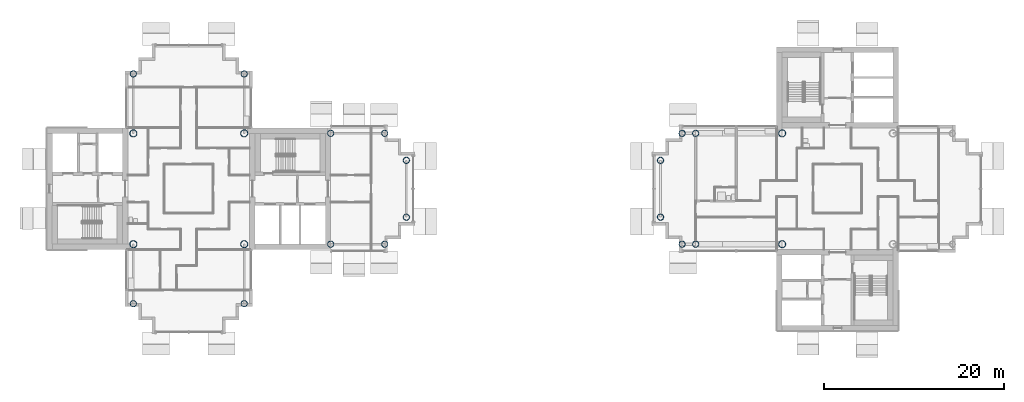
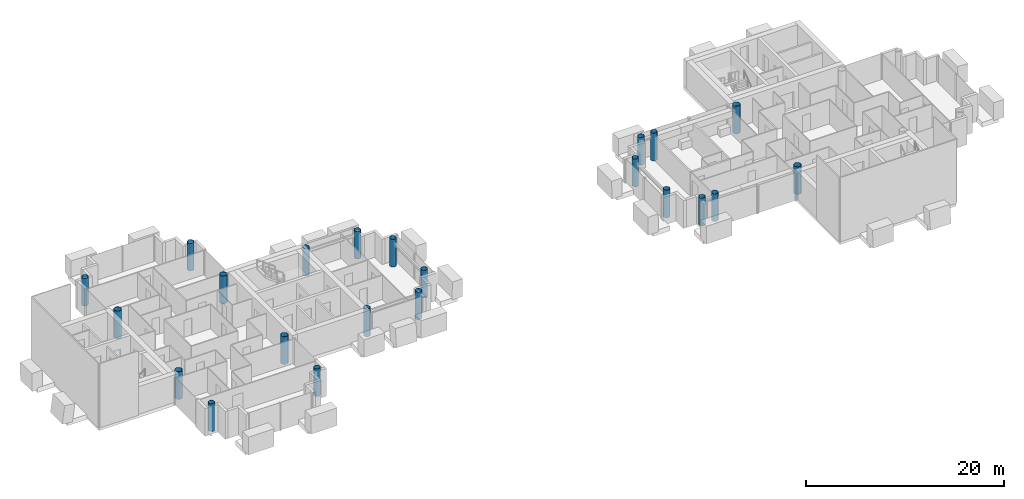
# One storey, part 1 of 18: 22 columns.
"""IFC4 building model written with IfcOpenShell, lengths in metres."""

from ifc_helpers import new_model, si_unit, direction, frame, origin, origin_2d, place, context, subcontext, project, spatial, hollow_circle, extrude, material, material_profile, profile_set, type_object, element, save


model = new_model("IFC4")

# Units and contexts
model_context = context("Model", 3, precision=1e-05, world=origin(), true_north=direction((0.0, 1.0)))
body_context = subcontext(model_context, "Body", "Model", "MODEL_VIEW")
ifc_project = project(units=[si_unit("LENGTHUNIT", "METRE"), si_unit("AREAUNIT", "SQUARE_METRE"), si_unit("VOLUMEUNIT", "CUBIC_METRE"), si_unit("PLANEANGLEUNIT", "RADIAN"), si_unit("MASSUNIT", "GRAM", prefix="KILO")], contexts=[model_context])

# Site, building, storey
site_placement = place(None, origin())
site = spatial("IfcSite", under=ifc_project, at=site_placement, CompositionType="ELEMENT")
building_placement = place(site_placement, origin())
building = spatial("IfcBuilding", under=site, at=building_placement, Name="Ipe Terrace Towers", CompositionType="ELEMENT")
storey_placement = place(building_placement, frame((0.0, 0.0, 230.0)))
storey = spatial("IfcBuildingStorey", under=building, at=storey_placement, Name="L64", CompositionType="ELEMENT", Elevation=230.0)

# Columns
ifc_material_1 = material(Name="Steel S355 tube with Concrete C60/75 fill", Category="concrete")
ifc_material_profile_1 = material_profile(ifc_material_1, hollow_circle(Radius=0.35009765625, WallThickness=0.02490234375, at=origin_2d()), Name="CHS-700x25")
ifc_profile_set_1 = profile_set([ifc_material_profile_1], Name="Steel S355 tube with Concrete C60/75 fill")
column_type_1 = type_object("IfcColumnType", Name="CH08 COLUMN CHS-700x25", PredefinedType="COLUMN", material=ifc_profile_set_1)
for number, where, z_axis, x_axis, name in (
    (1, (-20.25, -6.14990234375, 0.0), (0.0, 0.0, 1.0), (1.0, 0.0, 0.0), "Column T1-C-A01"),
    (2, (-20.25, 6.14990234375, 0.0), (0.0, 0.0, 1.0), (1.0, 0.0, 0.0), "Column T1-C-A02"),
    (3, (-14.25, -6.14990234375, 0.0), (0.0, 0.0, 1.0), (1.0, 0.0, 0.0), "Column T1-C-A03"),
    (4, (-14.25, 6.14990234375, 0.0), (0.0, 0.0, 1.0), (1.0, 0.0, 0.0), "Column T1-C-A04"),
    (5, (-11.85009765625, -3.14990234375, 0.0), (0.0, 0.0, 1.0), (1.0, 0.0, 0.0), "Column T1-C-A05"),
    (6, (-11.85009765625, 3.14990234375, 0.0), (0.0, 0.0, 1.0), (1.0, 0.0, 0.0), "Column T1-C-A06"),
    (7, (-29.85009765625, 12.75, 0.0), (0.0, 0.0, 1.0), (1.0, 0.0, 0.0), "Column T1-C-B01"),
    (8, (-42.14990234375, 12.75, 0.0), (0.0, 0.0, 1.0), (1.0, 0.0, 0.0), "Column T1-C-B02"),
    (9, (-42.14990234375, -12.75, 0.0), (0.0, 0.0, 1.0), (1.0, 0.0, 0.0), "Column T1-C-D01"),
    (10, (-29.85009765625, -12.75, 0.0), (0.0, 0.0, 1.0), (1.0, 0.0, 0.0), "Column T1-C-D02"),
    (11, (20.25, 6.14990234375, 0.0), (0.0, 0.0, 1.0), (1.0, 0.0, 0.0), "Column T2-C-B03"),
    (12, (20.25, -6.14990234375, 0.0), (0.0, 0.0, 1.0), (1.0, 0.0, 0.0), "Column T2-C-B04"),
    (13, (18.75, 6.14990234375, 0.0), (0.0, 0.0, 1.0), (1.0, 0.0, 0.0), "Column T2-C-B05"),
    (14, (18.75, -6.14990234375, 0.0), (0.0, 0.0, 1.0), (1.0, 0.0, 0.0), "Column T2-C-B06"),
    (15, (16.35009765625, 3.14990234375, 0.0), (0.0, 0.0, 1.0), (1.0, 0.0, 0.0), "Column T2-C-B07"),
    (16, (16.35009765625, -3.14990234375, 0.0), (0.0, 0.0, 1.0), (1.0, 0.0, 0.0), "Column T2-C-B08"),
):
    element("IfcColumn", number, at=place(storey_placement, frame(where, z_axis=z_axis, x_axis=x_axis)), inside=storey, type_object=column_type_1, Name=name, PredefinedType="COLUMN", context=body_context, shape_type="SweptSolid", body=[
        extrude(hollow_circle(Radius=0.35009765625, WallThickness=0.02490234375, at=origin_2d()), origin(), (0.0, 0.0, 1.0), 3.39990234375),
    ])
ifc_material_2 = material(Name="Steel S355 tube with Concrete C60/75 fill", Category="concrete")
ifc_material_profile_2 = material_profile(ifc_material_2, hollow_circle(Radius=0.39990234375, WallThickness=0.028076171875, at=origin_2d()), Name="CHS-800x28")
ifc_profile_set_2 = profile_set([ifc_material_profile_2], Name="Steel S355 tube with Concrete C60/75 fill")
column_type_2 = type_object("IfcColumnType", Name="CH09 COLUMN CHS-800x28", PredefinedType="COLUMN", material=ifc_profile_set_2)
for number, where, z_axis, x_axis, name in (
    (17, (-42.14990234375, -6.14990234375, 0.0), (0.0, 0.0, 1.0), (1.0, 0.0, 0.0), "Column T1-C-E01"),
    (18, (-29.85009765625, -6.14990234375, 0.0), (0.0, 0.0, 1.0), (1.0, 0.0, 0.0), "Column T1-C-E02"),
    (19, (-29.85009765625, 6.14990234375, 0.0), (0.0, 0.0, 1.0), (1.0, 0.0, 0.0), "Column T1-C-E03"),
    (20, (-42.14990234375, 6.14990234375, 0.0), (0.0, 0.0, 1.0), (1.0, 0.0, 0.0), "Column T1-C-E04"),
    (21, (29.85009765625, 6.14990234375, 0.0), (0.0, 0.0, 1.0), (1.0, 0.0, 0.0), "Column T2-C-E03"),
    (22, (29.85009765625, -6.14990234375, 0.0), (0.0, 0.0, 1.0), (1.0, 0.0, 0.0), "Column T2-C-E04"),
):
    element("IfcColumn", number, at=place(storey_placement, frame(where, z_axis=z_axis, x_axis=x_axis)), inside=storey, type_object=column_type_2, Name=name, PredefinedType="COLUMN", context=body_context, shape_type="SweptSolid", body=[
        extrude(hollow_circle(Radius=0.39990234375, WallThickness=0.028076171875, at=origin_2d()), origin(), (0.0, 0.0, 1.0), 3.39990234375),
    ])

save(model, "model.ifc")
